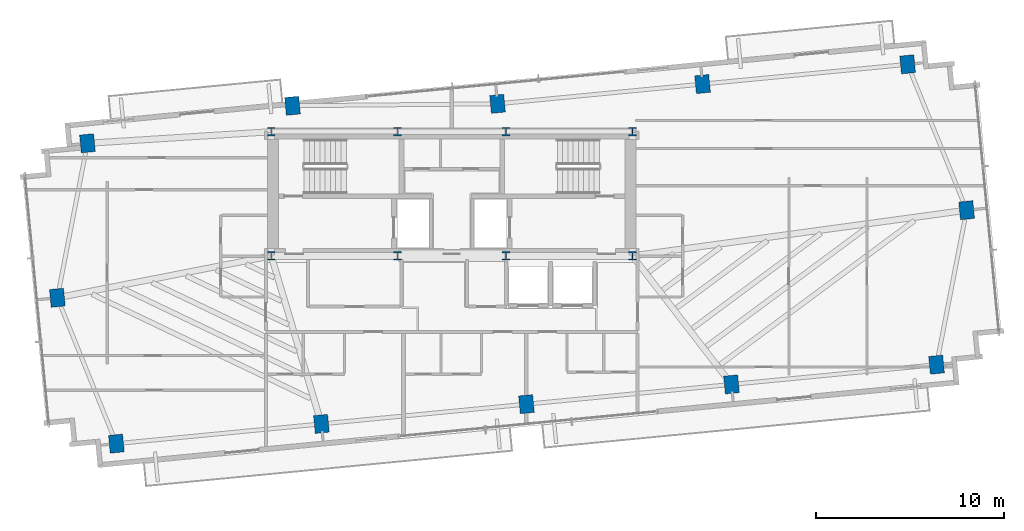
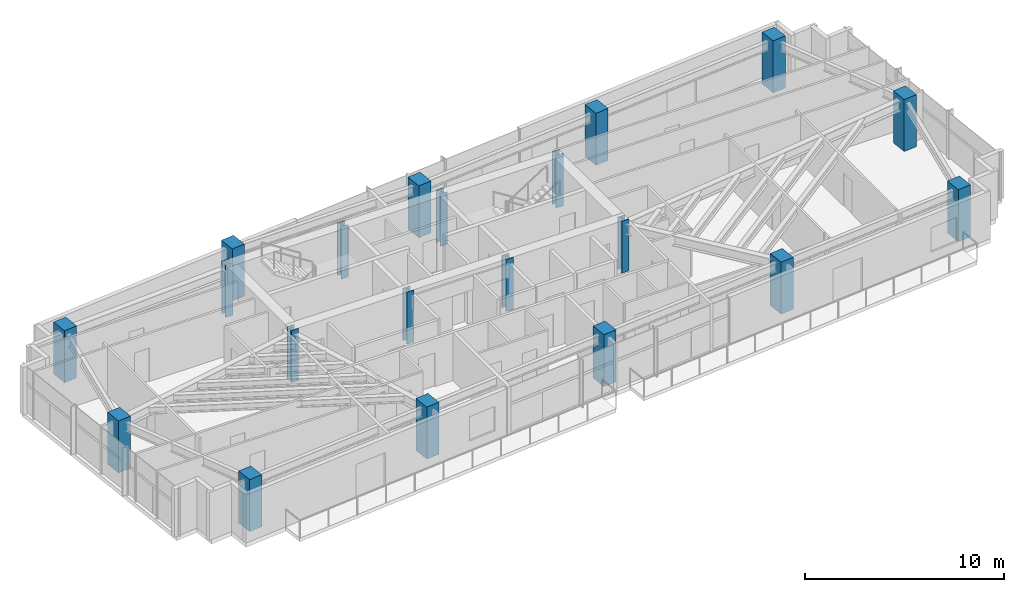
# One storey, part 1 of 18: 20 columns.
"""IFC4 building model written with IfcOpenShell, lengths in metres."""

from ifc_helpers import new_model, si_unit, direction, frame, origin, origin_2d, place, context, subcontext, project, spatial, rectangle, i_section, extrude, source, transform, mapped, material, material_profile, profile_set, type_object, type_shapes, element, save


model = new_model("IFC4")

# Units and contexts
model_context = context("Model", 3, precision=1e-05, world=origin(), true_north=direction((0.0, 1.0)))
body_context = subcontext(model_context, "Body", "Model", "MODEL_VIEW")
ifc_project = project(units=[si_unit("LENGTHUNIT", "METRE"), si_unit("AREAUNIT", "SQUARE_METRE"), si_unit("VOLUMEUNIT", "CUBIC_METRE"), si_unit("PLANEANGLEUNIT", "RADIAN"), si_unit("MASSUNIT", "GRAM", prefix="KILO")], contexts=[model_context])

# Site, building, storey
site_placement = place(None, origin())
site = spatial("IfcSite", under=ifc_project, at=site_placement, CompositionType="ELEMENT")
building_placement = place(site_placement, origin())
building = spatial("IfcBuilding", under=site, at=building_placement, Name="Astriad Promenade Condominiums", CompositionType="ELEMENT")
storey_placement = place(building_placement, frame((0.0, 0.0, 195.39990234375)))
storey = spatial("IfcBuildingStorey", under=building, at=storey_placement, Name="L56", CompositionType="ELEMENT", Elevation=195.39990234375)

# Columns
ifc_material_1 = material(Name="Steel ASTM A992 Grade 50", Category="steel")
ifc_material_profile_1 = material_profile(ifc_material_1, i_section(OverallWidth=0.41552734375, OverallDepth=0.445556640625, WebThickness=0.0390625, FlangeThickness=0.062744140625, FilletRadius=0.017822265625, at=origin_2d()), Name="W14X342")
ifc_profile_set_1 = profile_set([ifc_material_profile_1], Name="Steel ASTM A992 Grade 50")
column_type_1 = type_object("IfcColumnType", Name="STEEL CORE PILASTER W14X342", PredefinedType="PILASTER", material=ifc_profile_set_1)
shared_shape_1 = source(origin(), body_context, "Body", "SweptSolid", [
    extrude(i_section(OverallWidth=0.41552734375, OverallDepth=0.445556640625, WebThickness=0.0390625, FlangeThickness=0.062744140625, FilletRadius=0.017822265625, at=origin_2d()), origin(), (0.0, 0.0, 1.0), 3.19580078125),
])
type_shapes(column_type_1, [shared_shape_1])
for number, where, z_axis, x_axis, name in (
    (1, (26.39990234375, 17.39990234375, 0.002197265625), (0.0, 0.0, 1.0), (1.0, 0.0, 0.0), "Core Pilaster Column CP1 (L56)"),
    (2, (33.1201171875, 17.39990234375, 0.002197265625), (0.0, 0.0, 1.0), (1.0, 0.0, 0.0), "Core Pilaster Column CP2 (L56)"),
    (3, (38.8798828125, 17.39990234375, 0.002197265625), (0.0, 0.0, 1.0), (1.0, 0.0, 0.0), "Core Pilaster Column CP3 (L56)"),
    (4, (45.60009765625, 17.39990234375, 0.002197265625), (0.0, 0.0, 1.0), (1.0, 0.0, 0.0), "Core Pilaster Column CP4 (L56)"),
    (5, (26.39990234375, 24.0, 0.002197265625), (0.0, 0.0, 1.0), (1.0, 0.0, 0.0), "Core Pilaster Column CP5 (L56)"),
    (6, (33.1201171875, 24.0, 0.002197265625), (0.0, 0.0, 1.0), (1.0, 0.0, 0.0), "Core Pilaster Column CP6 (L56)"),
    (7, (38.8798828125, 24.0, 0.002197265625), (0.0, 0.0, 1.0), (1.0, 0.0, 0.0), "Core Pilaster Column CP7 (L56)"),
    (8, (45.60009765625, 24.0, 0.002197265625), (0.0, 0.0, 1.0), (1.0, 0.0, 0.0), "Core Pilaster Column CP8 (L56)"),
):
    element("IfcColumn", number, at=place(storey_placement, frame(where, z_axis=z_axis, x_axis=x_axis)), inside=storey, type_object=column_type_1, Name=name, PredefinedType="PILASTER", context=body_context, shape_type="MappedRepresentation", body=[
        mapped(shared_shape_1, transform((0.0, 0.0, 0.0), scale=1.0)),
    ])
ifc_material_2 = material(Name="Concrete C50/60", Category="concrete")
ifc_material_profile_2 = material_profile(ifc_material_2, rectangle(XDim=0.75, YDim=0.949951171875, at=origin_2d()), Name="RC-COL-950X750")
ifc_profile_set_2 = profile_set([ifc_material_profile_2], Name="Concrete C50/60")
column_type_2 = type_object("IfcColumnType", Name="CONCRETE TOWER COLUMN 950X750", PredefinedType="COLUMN", material=ifc_profile_set_2)
shared_shape_2 = source(origin(), body_context, "Body", "SweptSolid", [
    extrude(rectangle(XDim=0.75, YDim=0.949951171875, at=origin_2d()), origin(), (0.0, 0.0, 1.0), 3.19580078125),
])
type_shapes(column_type_2, [shared_shape_2])
for number, where, z_axis, x_axis, name in (
    (9, (18.16943359375, 7.41796875, 0.002197265625), (0.0, 0.0, 1.0), (0.995396198367, 0.09584575252, 0.0), "Perimeter Column PC01 (L56)"),
    (10, (29.069091796875, 8.46728515625, 0.002197265625), (0.0, 0.0, 1.0), (0.995396198367, 0.09584575252, 0.0), "Perimeter Column PC02 (L56)"),
    (11, (39.96875, 9.516845703125, 0.002197265625), (0.0, 0.0, 1.0), (0.995396198367, 0.09584575252, 0.0), "Perimeter Column PC03 (L56)"),
    (12, (50.868408203125, 10.56640625, 0.002197265625), (0.0, 0.0, 1.0), (0.995396198367, 0.09584575252, 0.0), "Perimeter Column PC04 (L56)"),
    (13, (61.767822265625, 11.615966796875, 0.002197265625), (0.0, 0.0, 1.0), (0.995396198367, 0.09584575252, 0.0), "Perimeter Column PC05 (L56)"),
    (14, (16.632080078125, 23.384033203125, 0.002197265625), (0.0, 0.0, 1.0), (0.995396198367, 0.09584575252, 0.0), "Perimeter Column PC06 (L56)"),
    (15, (27.53173828125, 25.3798828125, 0.002197265625), (0.0, 0.0, 1.0), (0.995396198367, 0.09584575252, 0.0), "Perimeter Column PC07 (L56)"),
    (16, (38.431396484375, 25.483154296875, 0.002197265625), (0.0, 0.0, 1.0), (0.995396198367, 0.09584575252, 0.0), "Perimeter Column PC08 (L56)"),
    (17, (49.330810546875, 26.53271484375, 0.002197265625), (0.0, 0.0, 1.0), (0.995396198367, 0.09584575252, 0.0), "Perimeter Column PC09 (L56)"),
    (18, (60.23046875, 27.58203125, 0.002197265625), (0.0, 0.0, 1.0), (0.995396198367, 0.09584575252, 0.0), "Perimeter Column PC10 (L56)"),
    (19, (15.03173828125, 15.1728515625, 0.002197265625), (0.0, 0.0, 1.0), (0.995396198367, 0.09584575252, 0.0), "Perimeter Column PC11 (L56)"),
    (20, (63.3681640625, 19.8271484375, 0.002197265625), (0.0, 0.0, 1.0), (0.995396198367, 0.09584575252, 0.0), "Perimeter Column PC12 (L56)"),
):
    element("IfcColumn", number, at=place(storey_placement, frame(where, z_axis=z_axis, x_axis=x_axis)), inside=storey, type_object=column_type_2, Name=name, PredefinedType="COLUMN", context=body_context, shape_type="MappedRepresentation", body=[
        mapped(shared_shape_2, transform((0.0, 0.0, 0.0), scale=1.0)),
    ])

save(model, "model.ifc")
